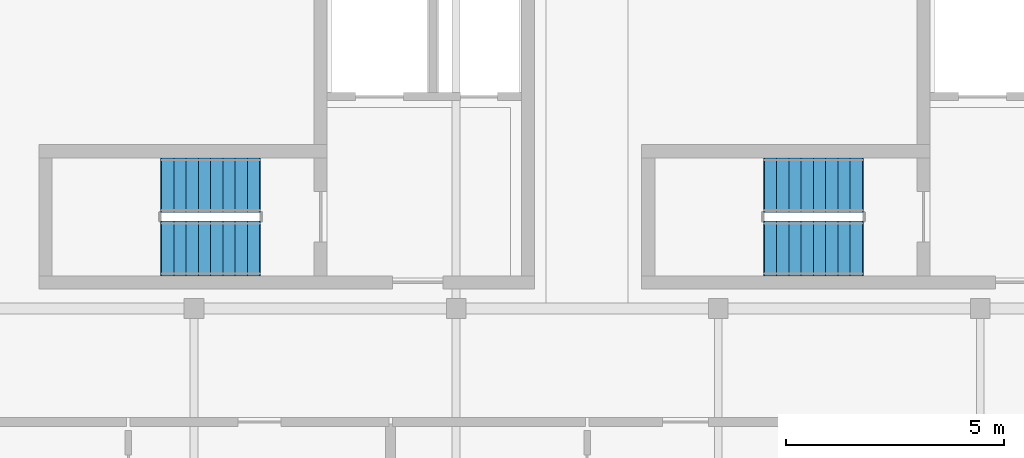
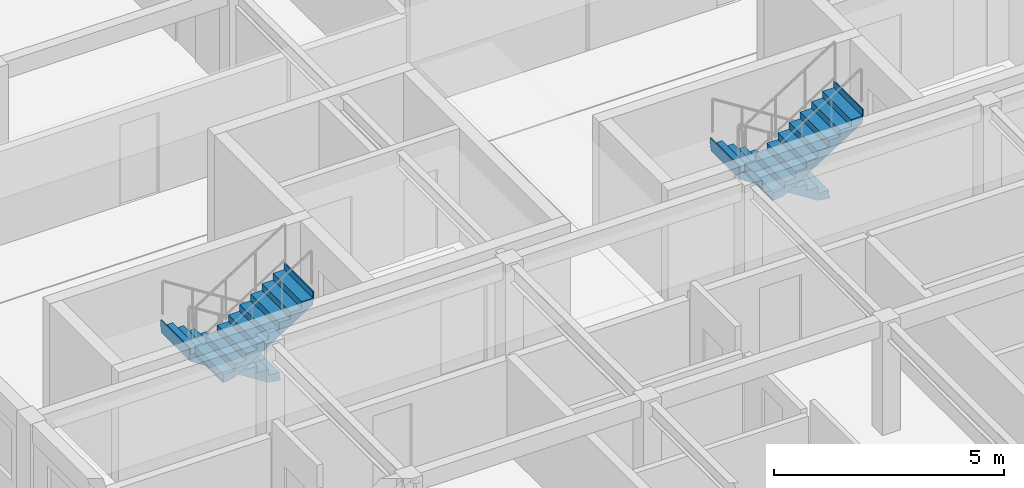
# One storey, part 7 of 9: 4 stair flights, 2 elements without a shape of their own.
"""IFC4 building model written with IfcOpenShell, lengths in metres."""

from ifc_helpers import new_model, si_unit, direction, frame, origin, place, context, subcontext, project, spatial, polyline, outline, extrude, material, type_object, element, aggregate, save


model = new_model("IFC4")

# Units and contexts
model_context = context("Model", 3, precision=1e-05, world=origin(), true_north=direction((0.0, 1.0)))
body_context = subcontext(model_context, "Body", "Model", "MODEL_VIEW")
ifc_project = project(units=[si_unit("LENGTHUNIT", "METRE"), si_unit("AREAUNIT", "SQUARE_METRE"), si_unit("VOLUMEUNIT", "CUBIC_METRE"), si_unit("PLANEANGLEUNIT", "RADIAN"), si_unit("MASSUNIT", "GRAM", prefix="KILO"), si_unit("POWERUNIT", "WATT"), si_unit("THERMODYNAMICTEMPERATUREUNIT", "KELVIN")], contexts=[model_context])

# Site, building, storey
site_placement = place(None, origin())
site = spatial("IfcSite", under=ifc_project, at=site_placement, CompositionType="ELEMENT")
building_placement = place(site_placement, origin())
building = spatial("IfcBuilding", under=site, at=building_placement, Name="Ruvembo Vaulted Housing Court", CompositionType="ELEMENT")
storey_placement = place(building_placement, frame((0.0, 0.0, 36.5)))
storey = spatial("IfcBuildingStorey", under=building, at=storey_placement, Name="L11", CompositionType="ELEMENT", Elevation=36.5)

# Stair, stair flights
ifc_material = material(Name="Concrete C35/45", Category="concrete")
stair_type = type_object("IfcStairType", Name="STR-CORE-1250", PredefinedType="HALF_TURN_STAIR", material=ifc_material)
stair_1_placement = place(storey_placement, origin())
stair_1 = element("IfcStair", 1, at=stair_1_placement, inside=storey, type_object=stair_type, Name="L11 Protected Exit Stair ST-A1", PredefinedType="HALF_TURN_STAIR")
stair_flight_type = type_object("IfcStairFlightType", Name="SFL-1250", PredefinedType="STRAIGHT", material=ifc_material)
stair_flight_1_placement = place(storey_placement, frame((7.5, 20.824951171875, 0.0), z_axis=(0.0, 0.0, 1.0), x_axis=(-1.0, 0.0, 0.0)))
stair_flight_1 = element("IfcStairFlight", 2, at=stair_flight_1_placement, type_object=stair_flight_type, Name="ST-A1 flight 1", NumberOfRisers=9, NumberOfTreads=8, PredefinedType="STRAIGHT", RiserHeight=0.177777778, TreadLength=0.28, context=body_context, shape_type="SweptSolid", body=[
    extrude(outline(polyline([(-0.02490234375, -0.0400390625), (-0.02490234375, 0.0), (0.0, 0.0), (0.0, 0.177734375), (0.280029296875, 0.177734375), (0.280029296875, 0.35546875), (0.56005859375, 0.35546875), (0.56005859375, 0.533447265625), (0.840087890625, 0.533447265625), (0.840087890625, 0.711181640625), (1.1201171875, 0.711181640625), (1.1201171875, 0.888916015625), (1.39990234375, 0.888916015625), (1.39990234375, 1.066650390625), (1.679931640625, 1.066650390625), (1.679931640625, 1.244384765625), (1.9599609375, 1.244384765625), (1.9599609375, 1.422119140625), (2.239990234375, 1.422119140625), (2.239990234375, 1.60009765625), (2.264892578125, 1.60009765625), (2.264892578125, 1.4501953125), (2.239990234375, 1.24462890625), (0.27978515625, 0.0), (0.0, -0.0400390625), (-0.02490234375, -0.0400390625)])), frame((0.0, 0.625, 0.0), z_axis=(0.0, -1.0, 0.0), x_axis=(1.0, 0.0, 0.0)), (0.0, 0.0, 1.0), 1.25),
])
stair_flight_2_placement = place(storey_placement, frame((5.260009765625, 19.375, 1.60009765625), z_axis=(0.0, 0.0, 1.0), x_axis=(1.0, 0.0, 0.0)))
stair_flight_2 = element("IfcStairFlight", 3, at=stair_flight_2_placement, type_object=stair_flight_type, Name="ST-A1 flight 2", NumberOfRisers=9, NumberOfTreads=8, PredefinedType="STRAIGHT", RiserHeight=0.177777778, TreadLength=0.28, context=body_context, shape_type="SweptSolid", body=[
    extrude(outline(polyline([(-0.02490234375, -0.0400390625), (-0.02490234375, 0.0), (0.0, 0.0), (0.0, 0.177734375), (0.280029296875, 0.177734375), (0.280029296875, 0.35546875), (0.56005859375, 0.35546875), (0.56005859375, 0.533447265625), (0.840087890625, 0.533447265625), (0.840087890625, 0.711181640625), (1.1201171875, 0.711181640625), (1.1201171875, 0.888916015625), (1.39990234375, 0.888916015625), (1.39990234375, 1.066650390625), (1.679931640625, 1.066650390625), (1.679931640625, 1.244384765625), (1.9599609375, 1.244384765625), (1.9599609375, 1.422119140625), (2.239990234375, 1.422119140625), (2.239990234375, 1.60009765625), (2.264892578125, 1.60009765625), (2.264892578125, 1.4501953125), (2.239990234375, 1.24462890625), (0.27978515625, 0.0), (0.0, -0.0400390625), (-0.02490234375, -0.0400390625)])), frame((0.0, 0.625, 0.0), z_axis=(0.0, -1.0, 0.0), x_axis=(1.0, 0.0, 0.0)), (0.0, 0.0, 1.0), 1.25),
])
aggregate(stair_1, [stair_flight_1, stair_flight_2])

stair_2_placement = place(storey_placement, origin())
stair_2 = element("IfcStair", 4, at=stair_2_placement, inside=storey, type_object=stair_type, Name="L11 Protected Exit Stair ST-A2", PredefinedType="HALF_TURN_STAIR")
stair_flight_3_placement = place(storey_placement, frame((21.300048828125, 20.824951171875, 0.0), z_axis=(0.0, 0.0, 1.0), x_axis=(-1.0, 0.0, 0.0)))
stair_flight_3 = element("IfcStairFlight", 5, at=stair_flight_3_placement, type_object=stair_flight_type, Name="ST-A2 flight 1", NumberOfRisers=9, NumberOfTreads=8, PredefinedType="STRAIGHT", RiserHeight=0.177777778, TreadLength=0.28, context=body_context, shape_type="SweptSolid", body=[
    extrude(outline(polyline([(-0.02490234375, -0.0400390625), (-0.02490234375, 0.0), (0.0, 0.0), (0.0, 0.177734375), (0.280029296875, 0.177734375), (0.280029296875, 0.35546875), (0.56005859375, 0.35546875), (0.56005859375, 0.533447265625), (0.840087890625, 0.533447265625), (0.840087890625, 0.711181640625), (1.1201171875, 0.711181640625), (1.1201171875, 0.888916015625), (1.39990234375, 0.888916015625), (1.39990234375, 1.066650390625), (1.679931640625, 1.066650390625), (1.679931640625, 1.244384765625), (1.9599609375, 1.244384765625), (1.9599609375, 1.422119140625), (2.239990234375, 1.422119140625), (2.239990234375, 1.60009765625), (2.264892578125, 1.60009765625), (2.264892578125, 1.4501953125), (2.239990234375, 1.24462890625), (0.27978515625, 0.0), (0.0, -0.0400390625), (-0.02490234375, -0.0400390625)])), frame((0.0, 0.625, 0.0), z_axis=(0.0, -1.0, 0.0), x_axis=(1.0, 0.0, 0.0)), (0.0, 0.0, 1.0), 1.25),
])
stair_flight_4_placement = place(storey_placement, frame((19.06005859375, 19.375, 1.60009765625), z_axis=(0.0, 0.0, 1.0), x_axis=(1.0, 0.0, 0.0)))
stair_flight_4 = element("IfcStairFlight", 6, at=stair_flight_4_placement, type_object=stair_flight_type, Name="ST-A2 flight 2", NumberOfRisers=9, NumberOfTreads=8, PredefinedType="STRAIGHT", RiserHeight=0.177777778, TreadLength=0.28, context=body_context, shape_type="SweptSolid", body=[
    extrude(outline(polyline([(-0.02490234375, -0.0400390625), (-0.02490234375, 0.0), (0.0, 0.0), (0.0, 0.177734375), (0.280029296875, 0.177734375), (0.280029296875, 0.35546875), (0.56005859375, 0.35546875), (0.56005859375, 0.533447265625), (0.840087890625, 0.533447265625), (0.840087890625, 0.711181640625), (1.1201171875, 0.711181640625), (1.1201171875, 0.888916015625), (1.39990234375, 0.888916015625), (1.39990234375, 1.066650390625), (1.679931640625, 1.066650390625), (1.679931640625, 1.244384765625), (1.9599609375, 1.244384765625), (1.9599609375, 1.422119140625), (2.239990234375, 1.422119140625), (2.239990234375, 1.60009765625), (2.264892578125, 1.60009765625), (2.264892578125, 1.4501953125), (2.239990234375, 1.24462890625), (0.27978515625, 0.0), (0.0, -0.0400390625), (-0.02490234375, -0.0400390625)])), frame((0.0, 0.625, 0.0), z_axis=(0.0, -1.0, 0.0), x_axis=(1.0, 0.0, 0.0)), (0.0, 0.0, 1.0), 1.25),
])
aggregate(stair_2, [stair_flight_3, stair_flight_4])

save(model, "model.ifc")
